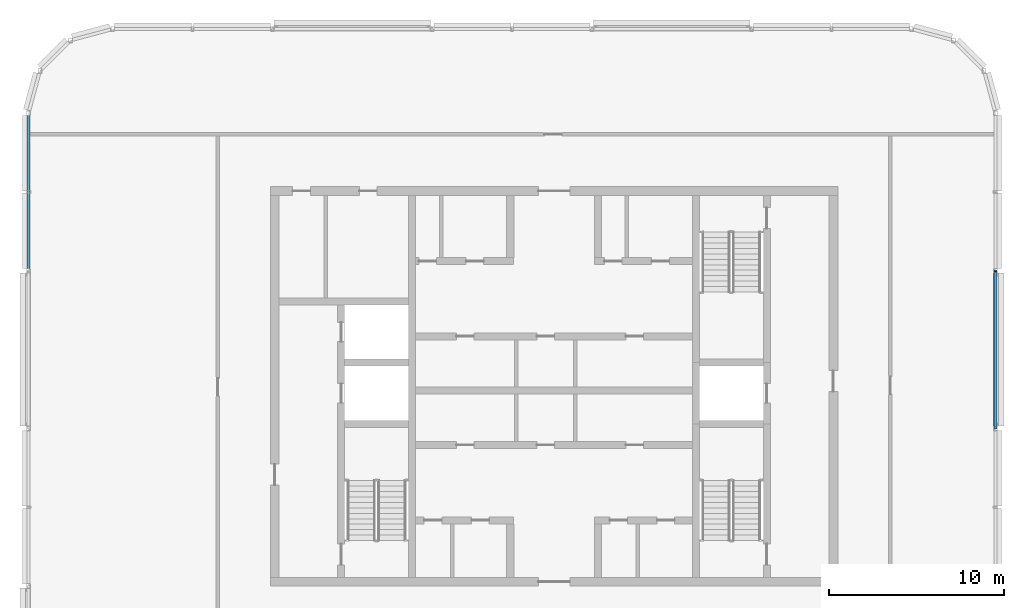
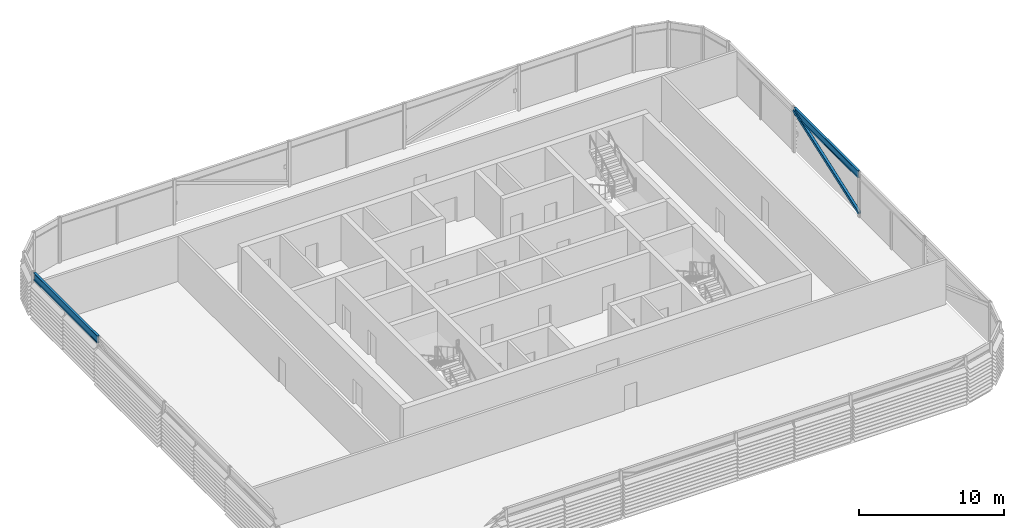
# One storey, part 10 of 28: 2 beams, 1 member.
"""IFC4 building model written with IfcOpenShell, lengths in metres."""

import ifcopenshell
import ifcopenshell.guid

model = None  # the IFC model being written
_history = None  # IfcOwnerHistory: only IFC2X3 demands one
_inside = {}  # id of a spatial element -> (the spatial element, [elements in it])
_under = {}  # id of a project, library or spatial element -> (it, [spatial elements below it])
_declared = {}  # id of a project -> (the project, [libraries it declares])
_typed = {}  # id of a type object -> (the type object, [elements of that type])
_made_of = {}  # id of a material, layer set ... -> (it, [elements and type objects made of it])


def new_model(schema):
    """Start an empty IFC model of exactly this schema.

    Asked for "IFC4X3", IfcOpenShell would pick the latest addendum, in which some entities
    have other attributes; the version numbers below select the first issue.
    IFC2X3 requires an IfcOwnerHistory on every rooted entity: one is made here for all.
    """
    global model, _history
    if schema == "IFC4X3":
        model = ifcopenshell.file(schema_version=(4, 3, 0, 0))
    else:
        model = ifcopenshell.file(schema=schema)
    _inside.clear()
    _under.clear()
    _declared.clear()
    _typed.clear()
    _made_of.clear()
    _history = None
    if model.schema == "IFC2X3":
        org = make("IfcOrganization", Name="unknown")
        user = make(
            "IfcPersonAndOrganization",
            ThePerson=make("IfcPerson", FamilyName="unknown"),
            TheOrganization=org,
        )
        app = make(
            "IfcApplication",
            ApplicationDeveloper=org,
            Version="unknown",
            ApplicationFullName="unknown",
            ApplicationIdentifier="unknown",
        )
        _history = make(
            "IfcOwnerHistory",
            OwningUser=user,
            OwningApplication=app,
            ChangeAction="ADDED",
            CreationDate=0,
        )
    return model


def make(cls, **values):
    """One entity of the class cls with the attributes given. An attribute that is None is left unset."""
    return model.create_entity(
        cls, **{name: value for name, value in values.items() if value is not None}
    )


def rooted(cls, **values):
    """An entity with a GlobalId (a new one), such as an element, a storey or a relation."""
    return make(cls, GlobalId=ifcopenshell.guid.new(), OwnerHistory=_history, **values)


def si_unit(unit_type, name, prefix=None):
    """IfcSIUnit, for example si_unit("LENGTHUNIT", "METRE", prefix="MILLI")."""
    return make("IfcSIUnit", UnitType=unit_type, Prefix=prefix, Name=name)


def assignment(units):
    """IfcUnitAssignment: the units of a project."""
    return None if units is None else make("IfcUnitAssignment", Units=units)


def point(xyz):
    """IfcCartesianPoint."""
    return None if xyz is None else make("IfcCartesianPoint", Coordinates=xyz)


def direction(xyz):
    """IfcDirection."""
    return None if xyz is None else make("IfcDirection", DirectionRatios=xyz)


def frame(location, z_axis=None, x_axis=None):
    """IfcAxis2Placement3D, a coordinate frame: its origin and axes. An axis left out is left unset."""
    return make(
        "IfcAxis2Placement3D",
        Location=point(location),
        Axis=direction(z_axis),
        RefDirection=direction(x_axis),
    )


def frame_2d(location, x_axis=None):
    """IfcAxis2Placement2D, a coordinate frame in the plane: its origin and x axis."""
    return make(
        "IfcAxis2Placement2D", Location=point(location), RefDirection=direction(x_axis)
    )


def origin():
    """The frame at (0, 0, 0) with its axes left unset."""
    return frame((0.0, 0.0, 0.0))


def origin_2d():
    """The frame at (0, 0) in the plane with its x axis left unset."""
    return frame_2d((0.0, 0.0))


def place(relative_to, where):
    """IfcLocalPlacement: puts the frame where relative to a parent placement (None: the world)."""
    return make(
        "IfcLocalPlacement", PlacementRelTo=relative_to, RelativePlacement=where
    )


def context(
    kind, dimensions, precision=None, world=None, true_north=None, identifier=None
):
    """IfcGeometricRepresentationContext, for example the 3D "Model" context."""
    return make(
        "IfcGeometricRepresentationContext",
        ContextIdentifier=identifier,
        ContextType=kind,
        CoordinateSpaceDimension=dimensions,
        Precision=precision,
        WorldCoordinateSystem=world,
        TrueNorth=true_north,
    )


def subcontext(parent, identifier, kind, view, scale=None):
    """IfcGeometricRepresentationSubContext, for example "Body" below "Model"."""
    return make(
        "IfcGeometricRepresentationSubContext",
        ContextIdentifier=identifier,
        ContextType=kind,
        ParentContext=parent,
        TargetScale=scale,
        TargetView=view,
    )


def project(units=None, contexts=None):
    """IfcProject with its units and contexts."""
    return rooted(
        "IfcProject",
        Name="project",
        RepresentationContexts=contexts,
        UnitsInContext=assignment(units),
    )


def spatial(cls, under=None, at=None, **own):
    """A site, building, storey or space (cls), placed at a placement, below another one or the project."""
    s = rooted(cls, ObjectPlacement=at, **own)
    if under is not None:
        _under.setdefault(under.id(), (under, []))[1].append(s)
    return s


def profile(cls, at=None, kind="AREA", **sizes):
    """A parametric profile (cls). Its sizes go by their IFC names, for example OverallWidth=200.0."""
    return make(cls, ProfileType=kind, Position=at, **sizes)


def hollow_rectangle(**sizes):
    """IfcRectangleHollowProfileDef."""
    return profile("IfcRectangleHollowProfileDef", **sizes)


def i_section(**sizes):
    """IfcIShapeProfileDef."""
    return profile("IfcIShapeProfileDef", **sizes)


def extrude(swept, where, along, depth):
    """IfcExtrudedAreaSolid: the profile swept, set in the frame where, extruded along a direction by depth."""
    return make(
        "IfcExtrudedAreaSolid",
        SweptArea=swept,
        Position=where,
        ExtrudedDirection=direction(along),
        Depth=depth,
    )


def shape(context_of_items, identifier, shape_type, items):
    """IfcShapeRepresentation: the items that make up one representation, for example the "Body"."""
    return make(
        "IfcShapeRepresentation",
        ContextOfItems=context_of_items,
        RepresentationIdentifier=identifier,
        RepresentationType=shape_type,
        Items=items,
    )


def material(Name=None, Category=None):
    """IfcMaterial."""
    return make("IfcMaterial", Name=Name, Category=Category)


def material_profile(
    of_material, cross_section, Name=None, Category=None, Priority=None
):
    """IfcMaterialProfile: a cross section and its material."""
    return make(
        "IfcMaterialProfile",
        Name=Name,
        Material=of_material,
        Profile=cross_section,
        Priority=Priority,
        Category=Category,
    )


def profile_set(profiles, Name=None, composite=None):
    """IfcMaterialProfileSet."""
    return make(
        "IfcMaterialProfileSet",
        Name=Name,
        MaterialProfiles=profiles,
        CompositeProfile=composite,
    )


def made_of(thing, what):
    """Note that an element or type object is made of a material, layer set ...; save() writes the relation."""
    if what is not None:
        _made_of.setdefault(what.id(), (what, []))[1].append(thing)
    return thing


def type_object(cls, material=None, **own):
    """A type object (cls), such as IfcWallType, which elements share."""
    return made_of(rooted(cls, **own), material)


def element(
    cls,
    number,
    at=None,
    inside=None,
    cuts=None,
    type_object=None,
    material=None,
    context=None,
    identifier="Body",
    shape_type=None,
    held_by="IfcProductDefinitionShape",
    body=None,
    shapes=None,
    **own,
):
    """One element of the class cls, such as IfcWall. Its Tag is "e" and its number.

    at: its placement. inside: the storey or other place that contains it. cuts: it is an
    opening in that element (IfcRelVoidsElement). A single representation is given by context,
    identifier, shape_type and body (its items); several are given by shapes. held_by: the class
    of the entity that holds the representations. save() writes the other relations.
    """
    e = rooted(cls, Tag="e%d" % number, ObjectPlacement=at, **own)
    if body is not None:
        shapes = [shape(context, identifier, shape_type, body)]
    if shapes is not None:
        e.Representation = make(held_by, Representations=shapes)
    if inside is not None:
        _inside.setdefault(inside.id(), (inside, []))[1].append(e)
    if cuts is not None:
        rooted(
            "IfcRelVoidsElement", RelatingBuildingElement=cuts, RelatedOpeningElement=e
        )
    if type_object is not None:
        _typed.setdefault(type_object.id(), (type_object, []))[1].append(e)
    return made_of(e, material)


def aggregate(whole, parts):
    """IfcRelAggregates: a whole, such as a stair, and the parts it consists of."""
    return rooted("IfcRelAggregates", RelatingObject=whole, RelatedObjects=parts)


def save(model, path):
    """Write the relations noted so far, then the file.

    IfcRelAggregates (storeys below a building ...), IfcRelContainedInSpatialStructure (elements
    in a storey), IfcRelDefinesByType, IfcRelAssociatesMaterial and IfcRelDeclares: one each for
    every whole, place, type object, material and project.
    """
    for whole, parts in _under.values():
        aggregate(whole, parts)
    for where, things in _inside.values():
        rooted(
            "IfcRelContainedInSpatialStructure",
            RelatedElements=things,
            RelatingStructure=where,
        )
    for kind, things in _typed.values():
        rooted("IfcRelDefinesByType", RelatedObjects=things, RelatingType=kind)
    for what, things in _made_of.values():
        rooted("IfcRelAssociatesMaterial", RelatedObjects=things, RelatingMaterial=what)
    for by, libraries in _declared.values():
        rooted("IfcRelDeclares", RelatingContext=by, RelatedDefinitions=libraries)
    model.write(path)


model = new_model("IFC4")

# Units and contexts
model_context = context("Model", 3, precision=1e-05, world=origin(), true_north=direction((0.0, 1.0)))
body_context = subcontext(model_context, "Body", "Model", "MODEL_VIEW")
ifc_project = project(units=[si_unit("LENGTHUNIT", "METRE"), si_unit("AREAUNIT", "SQUARE_METRE"), si_unit("VOLUMEUNIT", "CUBIC_METRE"), si_unit("PLANEANGLEUNIT", "RADIAN"), si_unit("MASSUNIT", "GRAM", prefix="KILO")], contexts=[model_context])

# Site, building, storey
site_placement = place(None, origin())
site = spatial("IfcSite", under=ifc_project, at=site_placement, CompositionType="ELEMENT")
building_placement = place(site_placement, origin())
building = spatial("IfcBuilding", under=site, at=building_placement, Name="Madar Terraces", CompositionType="ELEMENT")
storey_placement = place(building_placement, frame((0.0, 0.0, 305.89990234375)))
storey = spatial("IfcBuildingStorey", under=building, at=storey_placement, Name="L79", CompositionType="ELEMENT", Elevation=305.89990234375)

# Beams
ifc_material_1 = material(Name="Steel ASTM A992 Grade 50", Category="steel")
ifc_material_profile_1 = material_profile(ifc_material_1, i_section(OverallWidth=0.1787109375, OverallDepth=0.60205078125, WebThickness=0.010986328125, FlangeThickness=0.014892578125, at=origin_2d()), Name="W24x62")
ifc_profile_set_1 = profile_set([ifc_material_profile_1], Name="Steel ASTM A992 Grade 50")
beam_type = type_object("IfcBeamType", Name="CF2 W24x62", PredefinedType="BEAM", material=ifc_profile_set_1)
for number, where, z_axis, x_axis, name in (
    (1, (56.39990234375, 24.1015625, 3.4990234375), (0.0, 1.0, 0.0), (-1.0, 0.0, 0.0), "Crown frame ring beam CF2"),
    (2, (1.199951171875, 41.8984375, 3.4990234375), (0.0, -1.0, 0.0), (1.0, 0.0, 0.0), "Crown frame ring beam CF2"),
):
    element("IfcBeam", number, at=place(storey_placement, frame(where, z_axis=z_axis, x_axis=x_axis)), inside=storey, type_object=beam_type, Name=name, PredefinedType="BEAM", context=body_context, shape_type="SweptSolid", body=[
        extrude(i_section(OverallWidth=0.1787109375, OverallDepth=0.60205078125, WebThickness=0.010986328125, FlangeThickness=0.014892578125, at=origin_2d()), origin(), (0.0, 0.0, 1.0), 8.796875),
    ])

# Member
ifc_material_2 = material(Name="Steel ASTM A500 Grade C", Category="steel")
ifc_material_profile_2 = material_profile(ifc_material_2, hollow_rectangle(XDim=0.203125, YDim=0.25390625, WallThickness=0.009521484375, InnerFilletRadius=0.00439453125, OuterFilletRadius=0.01318359375, at=origin_2d()), Name="HSS10x8x.375")
ifc_profile_set_2 = profile_set([ifc_material_profile_2], Name="Steel ASTM A500 Grade C")
member_type = type_object("IfcMemberType", Name="CF5 crown frame brace HSS10x8x.375", PredefinedType="BRACE", material=ifc_profile_set_2)
member_placement = place(storey_placement, frame((56.39990234375, 24.0, 0.300048828125), z_axis=(0.0, 0.942248571399, 0.334914361736), x_axis=(-1.0, 0.0, 0.0)))
element("IfcMember", 3, at=member_placement, inside=storey, type_object=member_type, Name="Crown frame brace CF5", PredefinedType="BRACE", context=body_context, shape_type="SweptSolid", body=[
    extrude(hollow_rectangle(XDim=0.203125, YDim=0.25390625, WallThickness=0.009521484375, InnerFilletRadius=0.00439453125, OuterFilletRadius=0.01318359375, at=origin_2d()), origin(), (0.0, 0.0, 1.0), 9.551513671875),
])

save(model, "model.ifc")
